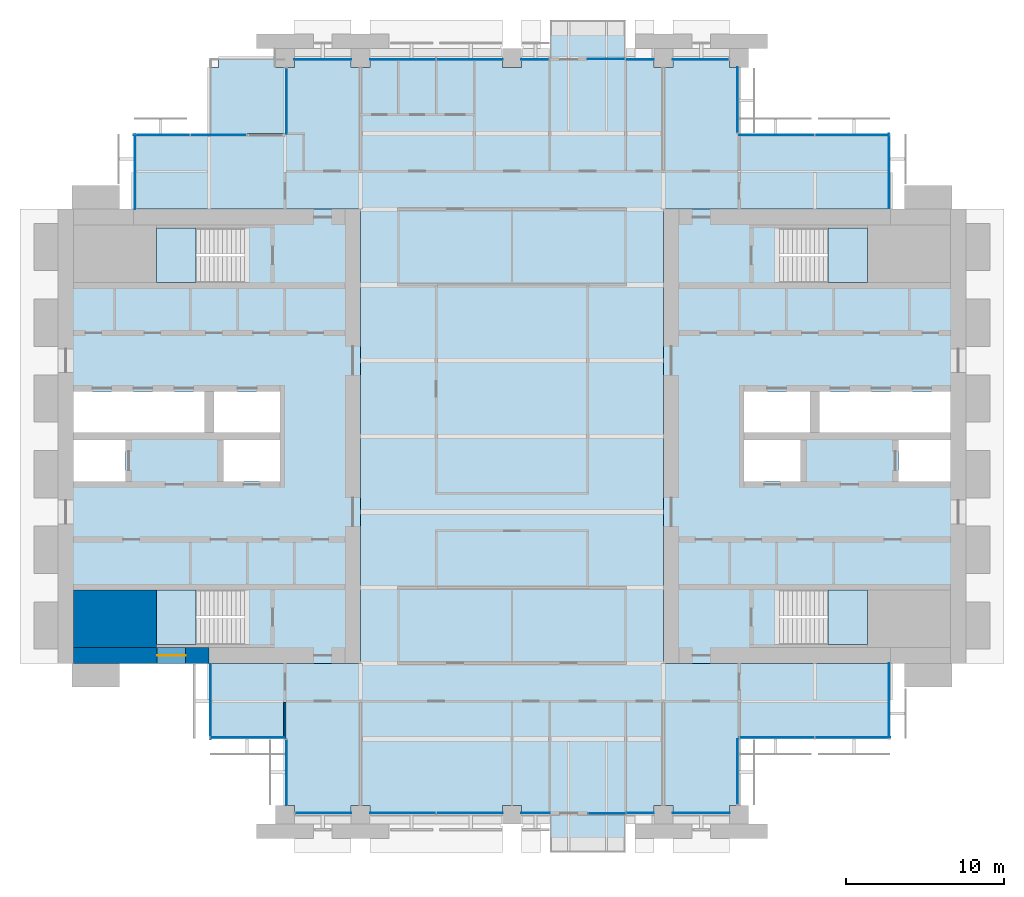
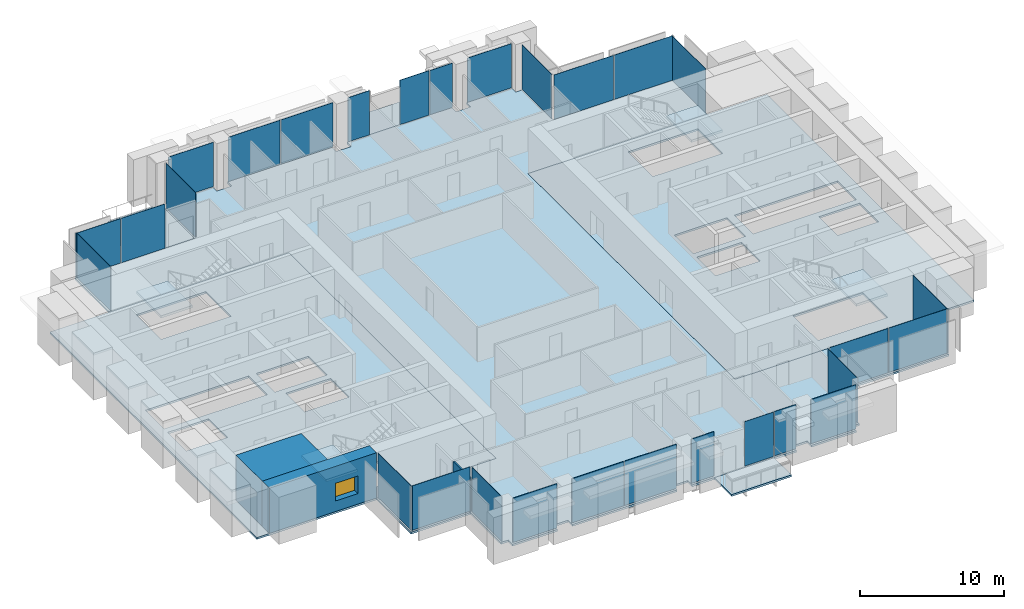
# One storey, part 8 of 15: 29 plates, 10 slabs, 3 walls, 1 window, 1 opening, 22 elements without a shape of their own.
"""IFC4 building model written with IfcOpenShell, lengths in metres."""

from ifc_helpers import new_model, si_unit, direction, frame, frame_2d, origin, origin_2d, place, context, subcontext, project, spatial, polyline, rectangle, outline, extrude, material, layer, layer_set, type_object, element, fill, aggregate, save


model = new_model("IFC4")

# Units and contexts
model_context = context("Model", 3, precision=1e-05, world=origin(), true_north=direction((0.0, 1.0)))
body_context = subcontext(model_context, "Body", "Model", "MODEL_VIEW")
ifc_project = project(units=[si_unit("LENGTHUNIT", "METRE"), si_unit("AREAUNIT", "SQUARE_METRE"), si_unit("VOLUMEUNIT", "CUBIC_METRE"), si_unit("PLANEANGLEUNIT", "RADIAN"), si_unit("MASSUNIT", "GRAM", prefix="KILO")], contexts=[model_context])

# Site, building, storey
site_placement = place(None, origin())
site = spatial("IfcSite", under=ifc_project, at=site_placement, CompositionType="ELEMENT")
building_placement = place(site_placement, origin())
building = spatial("IfcBuilding", under=site, at=building_placement, Name="Baori Bourse Tower", CompositionType="ELEMENT")
storey_placement = place(building_placement, frame((0.0, 0.0, 116.10009765625)))
storey = spatial("IfcBuildingStorey", under=building, at=storey_placement, Name="L24", CompositionType="ELEMENT", Elevation=116.10009765625)

# Slabs
ifc_material_1 = material(Name="Concrete f'c 40 MPa", Category="concrete")
ifc_layer_1 = layer(ifc_material_1, 0.159912109375)
ifc_layer_set_1 = layer_set([ifc_layer_1], Name="BL2 Balcony slab 160")
slab_type_1 = type_object("IfcSlabType", Name="BL2 Balcony slab 160", PredefinedType="FLOOR", material=ifc_layer_set_1)
slab_1_placement = place(storey_placement, frame((0.0, 0.0, -0.16015625)))
element("IfcSlab", 1, at=slab_1_placement, inside=storey, type_object=slab_type_1, Name="Balcony slab L24 S", PredefinedType="FLOOR", context=body_context, shape_type="SweptSolid", body=[
    extrude(outline(polyline([(31.199951171875, 0.0), (31.199951171875, -2.39990234375), (36.0, -2.39990234375), (36.0, 0.0), (31.199951171875, 0.0)])), origin(), (0.0, 0.0, 1.0), 0.16015625),
])
slab_2_placement = place(storey_placement, frame((0.0, 0.0, -0.16015625)))
element("IfcSlab", 2, at=slab_2_placement, inside=storey, type_object=slab_type_1, Name="Balcony slab L24 N", PredefinedType="FLOOR", context=body_context, shape_type="SweptSolid", body=[
    extrude(outline(polyline([(31.199951171875, 48.0), (36.0, 48.0), (36.0, 50.39990234375), (31.199951171875, 50.39990234375), (31.199951171875, 48.0)])), origin(), (0.0, 0.0, 1.0), 0.16015625),
])

# Curtain wall, plates
ifc_material_2 = material(Name="Pale anodised aluminium", Category="aluminium")
curtain_wall_type_1 = type_object("IfcCurtainWallType", Name="CW1 Curtain wall", PredefinedType="NOTDEFINED", material=ifc_material_2)
curtain_wall_1_placement = place(storey_placement, origin())
curtain_wall_1 = element("IfcCurtainWall", 3, at=curtain_wall_1_placement, inside=storey, type_object=curtain_wall_type_1, Name="Curtain wall CW1 L24 4", PredefinedType="NOTDEFINED")
ifc_material_3 = material(Name="Clear glass", Category="glass")
ifc_layer_2 = layer(ifc_material_3, 0.033935546875)
ifc_layer_set_2 = layer_set([ifc_layer_2], Name="CW1 Curtain wall panel")
plate_type_1 = type_object("IfcPlateType", Name="CW1 Curtain wall panel", PredefinedType="CURTAIN_PANEL", material=ifc_layer_set_2)
plate_1_placement = place(storey_placement, frame((40.77001953125, 47.89990234375, 0.080078125), z_axis=(0.0, 0.0, 1.0), x_axis=(-1.0, 0.0, 0.0)))
plate_1 = element("IfcPlate", 4, at=plate_1_placement, type_object=plate_type_1, Name="Curtain wall CW1 panel", PredefinedType="CURTAIN_PANEL", context=body_context, shape_type="SweptSolid", body=[
    extrude(rectangle(XDim=3.5400390625, YDim=0.033935546875, at=origin_2d()), origin(), (0.0, 0.0, 1.0), 3.760009765625),
])
plate_2_placement = place(storey_placement, frame((36.89990234375, 47.89990234375, 0.080078125), z_axis=(0.0, 0.0, 1.0), x_axis=(-1.0, 0.0, 0.0)))
plate_2 = element("IfcPlate", 5, at=plate_2_placement, type_object=plate_type_1, Name="Curtain wall CW1 panel", PredefinedType="CURTAIN_PANEL", context=body_context, shape_type="SweptSolid", body=[
    extrude(rectangle(XDim=1.800048828125, YDim=0.033935546875, at=origin_2d()), origin(), (0.0, 0.0, 1.0), 3.760009765625),
])
aggregate(curtain_wall_1, [plate_1, plate_2])

curtain_wall_2_placement = place(storey_placement, origin())
curtain_wall_2 = element("IfcCurtainWall", 6, at=curtain_wall_2_placement, inside=storey, type_object=curtain_wall_type_1, Name="Curtain wall CW1 L24 6", PredefinedType="NOTDEFINED")
plate_3_placement = place(storey_placement, frame((30.27001953125, 47.89990234375, 0.080078125), z_axis=(0.0, 0.0, 1.0), x_axis=(-1.0, 0.0, 0.0)))
plate_3 = element("IfcPlate", 7, at=plate_3_placement, type_object=plate_type_1, Name="Curtain wall CW1 panel", PredefinedType="CURTAIN_PANEL", context=body_context, shape_type="SweptSolid", body=[
    extrude(rectangle(XDim=1.739990234375, YDim=0.033935546875, at=origin_2d()), origin(), (0.0, 0.0, 1.0), 3.760009765625),
])
plate_4_placement = place(storey_placement, frame((26.114990234375, 47.89990234375, 0.080078125), z_axis=(0.0, 0.0, 1.0), x_axis=(-1.0, 0.0, 0.0)))
plate_4 = element("IfcPlate", 8, at=plate_4_placement, type_object=plate_type_1, Name="Curtain wall CW1 panel", PredefinedType="CURTAIN_PANEL", context=body_context, shape_type="SweptSolid", body=[
    extrude(rectangle(XDim=4.169921875, YDim=0.033935546875, at=origin_2d()), origin(), (0.0, 0.0, 1.0), 3.760009765625),
])
plate_5_placement = place(storey_placement, frame((21.885009765625, 47.89990234375, 0.080078125), z_axis=(0.0, 0.0, 1.0), x_axis=(-1.0, 0.0, 0.0)))
plate_5 = element("IfcPlate", 9, at=plate_5_placement, type_object=plate_type_1, Name="Curtain wall CW1 panel", PredefinedType="CURTAIN_PANEL", context=body_context, shape_type="SweptSolid", body=[
    extrude(rectangle(XDim=4.169921875, YDim=0.033935546875, at=origin_2d()), origin(), (0.0, 0.0, 1.0), 3.760009765625),
])
plate_6_placement = place(storey_placement, frame((16.800048828125, 47.89990234375, 0.080078125), z_axis=(0.0, 0.0, 1.0), x_axis=(-1.0, 0.0, 0.0)))
plate_6 = element("IfcPlate", 10, at=plate_6_placement, type_object=plate_type_1, Name="Curtain wall CW1 panel", PredefinedType="CURTAIN_PANEL", context=body_context, shape_type="SweptSolid", body=[
    extrude(rectangle(XDim=3.60009765625, YDim=0.033935546875, at=origin_2d()), origin(), (0.0, 0.0, 1.0), 3.760009765625),
])
aggregate(curtain_wall_2, [plate_3, plate_4, plate_5, plate_6])

curtain_wall_3_placement = place(storey_placement, origin())
curtain_wall_3 = element("IfcCurtainWall", 11, at=curtain_wall_3_placement, inside=storey, type_object=curtain_wall_type_1, Name="Curtain wall CW1 L24 13", PredefinedType="NOTDEFINED")
plate_7_placement = place(storey_placement, frame((16.830078125, 0.10009765625, 0.080078125), z_axis=(0.0, 0.0, 1.0), x_axis=(1.0, 0.0, 0.0)))
plate_7 = element("IfcPlate", 12, at=plate_7_placement, type_object=plate_type_1, Name="Curtain wall CW1 panel", PredefinedType="CURTAIN_PANEL", context=body_context, shape_type="SweptSolid", body=[
    extrude(rectangle(XDim=3.5400390625, YDim=0.033935546875, at=origin_2d()), origin(), (0.0, 0.0, 1.0), 3.760009765625),
])
plate_8_placement = place(storey_placement, frame((21.885009765625, 0.10009765625, 0.080078125), z_axis=(0.0, 0.0, 1.0), x_axis=(1.0, 0.0, 0.0)))
plate_8 = element("IfcPlate", 13, at=plate_8_placement, type_object=plate_type_1, Name="Curtain wall CW1 panel", PredefinedType="CURTAIN_PANEL", context=body_context, shape_type="SweptSolid", body=[
    extrude(rectangle(XDim=4.169921875, YDim=0.033935546875, at=origin_2d()), origin(), (0.0, 0.0, 1.0), 3.760009765625),
])
plate_9_placement = place(storey_placement, frame((26.114990234375, 0.10009765625, 0.080078125), z_axis=(0.0, 0.0, 1.0), x_axis=(1.0, 0.0, 0.0)))
plate_9 = element("IfcPlate", 14, at=plate_9_placement, type_object=plate_type_1, Name="Curtain wall CW1 panel", PredefinedType="CURTAIN_PANEL", context=body_context, shape_type="SweptSolid", body=[
    extrude(rectangle(XDim=4.169921875, YDim=0.033935546875, at=origin_2d()), origin(), (0.0, 0.0, 1.0), 3.760009765625),
])
plate_10_placement = place(storey_placement, frame((30.300048828125, 0.10009765625, 0.080078125), z_axis=(0.0, 0.0, 1.0), x_axis=(1.0, 0.0, 0.0)))
plate_10 = element("IfcPlate", 15, at=plate_10_placement, type_object=plate_type_1, Name="Curtain wall CW1 panel", PredefinedType="CURTAIN_PANEL", context=body_context, shape_type="SweptSolid", body=[
    extrude(rectangle(XDim=1.800048828125, YDim=0.033935546875, at=origin_2d()), origin(), (0.0, 0.0, 1.0), 3.760009765625),
])
aggregate(curtain_wall_3, [plate_7, plate_8, plate_9, plate_10])

curtain_wall_4_placement = place(storey_placement, origin())
curtain_wall_4 = element("IfcCurtainWall", 16, at=curtain_wall_4_placement, inside=storey, type_object=curtain_wall_type_1, Name="Curtain wall CW1 L24 15", PredefinedType="NOTDEFINED")
plate_11_placement = place(storey_placement, frame((36.929931640625, 0.10009765625, 0.080078125), z_axis=(0.0, 0.0, 1.0), x_axis=(1.0, 0.0, 0.0)))
plate_11 = element("IfcPlate", 17, at=plate_11_placement, type_object=plate_type_1, Name="Curtain wall CW1 panel", PredefinedType="CURTAIN_PANEL", context=body_context, shape_type="SweptSolid", body=[
    extrude(rectangle(XDim=1.739990234375, YDim=0.033935546875, at=origin_2d()), origin(), (0.0, 0.0, 1.0), 3.760009765625),
])
plate_12_placement = place(storey_placement, frame((40.800048828125, 0.10009765625, 0.080078125), z_axis=(0.0, 0.0, 1.0), x_axis=(1.0, 0.0, 0.0)))
plate_12 = element("IfcPlate", 18, at=plate_12_placement, type_object=plate_type_1, Name="Curtain wall CW1 panel", PredefinedType="CURTAIN_PANEL", context=body_context, shape_type="SweptSolid", body=[
    extrude(rectangle(XDim=3.60009765625, YDim=0.033935546875, at=origin_2d()), origin(), (0.0, 0.0, 1.0), 3.760009765625),
])
aggregate(curtain_wall_4, [plate_11, plate_12])

# Curtain wall, plate
ifc_material_4 = material(Name="Pale anodised aluminium", Category="aluminium")
curtain_wall_type_2 = type_object("IfcCurtainWallType", Name="CW2 Curtain wall", PredefinedType="NOTDEFINED", material=ifc_material_4)
curtain_wall_5_placement = place(storey_placement, origin())
curtain_wall_5 = element("IfcCurtainWall", 19, at=curtain_wall_5_placement, inside=storey, type_object=curtain_wall_type_2, Name="Curtain wall CW2 L24 1", PredefinedType="NOTDEFINED")
ifc_material_5 = material(Name="Clear glass", Category="glass")
ifc_layer_3 = layer(ifc_material_5, 0.030029296875)
ifc_layer_set_3 = layer_set([ifc_layer_3], Name="CW2 Curtain wall panel")
plate_type_2 = type_object("IfcPlateType", Name="CW2 Curtain wall panel", PredefinedType="CURTAIN_PANEL", material=ifc_layer_set_3)
plate_13_placement = place(storey_placement, frame((52.7099609375, 40.827392578125, 0.06982421875), z_axis=(0.0, 0.0, 1.0), x_axis=(0.0, 1.0, 0.0)))
plate_13 = element("IfcPlate", 20, at=plate_13_placement, type_object=plate_type_2, Name="Curtain wall CW2 panel", PredefinedType="CURTAIN_PANEL", context=body_context, shape_type="SweptSolid", body=[
    extrude(rectangle(XDim=4.7451171875, YDim=0.030029296875, at=origin_2d()), origin(), (0.0, 0.0, 1.0), 3.77001953125),
])
aggregate(curtain_wall_5, [plate_13])

# Curtain wall, plates
curtain_wall_6_placement = place(storey_placement, origin())
curtain_wall_6 = element("IfcCurtainWall", 21, at=curtain_wall_6_placement, inside=storey, type_object=curtain_wall_type_2, Name="Curtain wall CW2 L24 2", PredefinedType="NOTDEFINED")
plate_14_placement = place(storey_placement, frame((50.38623046875, 43.110107421875, 0.06982421875), z_axis=(0.0, 0.0, 1.0), x_axis=(-1.0, 0.0, 0.0)))
plate_14 = element("IfcPlate", 22, at=plate_14_placement, type_object=plate_type_2, Name="Curtain wall CW2 panel", PredefinedType="CURTAIN_PANEL", context=body_context, shape_type="SweptSolid", body=[
    extrude(rectangle(XDim=4.717529296875, YDim=0.030029296875, at=origin_2d()), origin(), (0.0, 0.0, 1.0), 3.77001953125),
])
plate_15_placement = place(storey_placement, frame((45.586181640625, 43.110107421875, 0.06982421875), z_axis=(0.0, 0.0, 1.0), x_axis=(-1.0, 0.0, 0.0)))
plate_15 = element("IfcPlate", 23, at=plate_15_placement, type_object=plate_type_2, Name="Curtain wall CW2 panel", PredefinedType="CURTAIN_PANEL", context=body_context, shape_type="SweptSolid", body=[
    extrude(rectangle(XDim=4.7724609375, YDim=0.030029296875, at=origin_2d()), origin(), (0.0, 0.0, 1.0), 3.77001953125),
])
aggregate(curtain_wall_6, [plate_14, plate_15])

# Curtain wall, plate
curtain_wall_7_placement = place(storey_placement, origin())
curtain_wall_7 = element("IfcCurtainWall", 24, at=curtain_wall_7_placement, inside=storey, type_object=curtain_wall_type_2, Name="Curtain wall CW2 L24 3", PredefinedType="NOTDEFINED")
plate_16_placement = place(storey_placement, frame((43.110107421875, 45.327392578125, 0.06982421875), z_axis=(0.0, 0.0, 1.0), x_axis=(0.0, 1.0, 0.0)))
plate_16 = element("IfcPlate", 25, at=plate_16_placement, type_object=plate_type_2, Name="Curtain wall CW2 panel", PredefinedType="CURTAIN_PANEL", context=body_context, shape_type="SweptSolid", body=[
    extrude(rectangle(XDim=4.14501953125, YDim=0.030029296875, at=origin_2d()), origin(), (0.0, 0.0, 1.0), 3.77001953125),
])
aggregate(curtain_wall_7, [plate_16])

curtain_wall_8_placement = place(storey_placement, origin())
curtain_wall_8 = element("IfcCurtainWall", 26, at=curtain_wall_8_placement, inside=storey, type_object=curtain_wall_type_2, Name="Curtain wall CW2 L24 7", PredefinedType="NOTDEFINED")
plate_17_placement = place(storey_placement, frame((14.489990234375, 45.2724609375, 0.06982421875), z_axis=(0.0, 0.0, 1.0), x_axis=(0.0, -1.0, 0.0)))
plate_17 = element("IfcPlate", 27, at=plate_17_placement, type_object=plate_type_2, Name="Curtain wall CW2 panel", PredefinedType="CURTAIN_PANEL", context=body_context, shape_type="SweptSolid", body=[
    extrude(rectangle(XDim=4.14501953125, YDim=0.030029296875, at=origin_2d()), origin(), (0.0, 0.0, 1.0), 3.77001953125),
])
aggregate(curtain_wall_8, [plate_17])

# Curtain wall, plates
curtain_wall_9_placement = place(storey_placement, origin())
curtain_wall_9 = element("IfcCurtainWall", 28, at=curtain_wall_9_placement, inside=storey, type_object=curtain_wall_type_2, Name="Curtain wall CW2 L24 8", PredefinedType="NOTDEFINED")
plate_18_placement = place(storey_placement, frame((10.186279296875, 43.110107421875, 0.06982421875), z_axis=(0.0, 0.0, 1.0), x_axis=(-1.0, 0.0, 0.0)))
plate_18 = element("IfcPlate", 29, at=plate_18_placement, type_object=plate_type_2, Name="Curtain wall CW2 panel", PredefinedType="CURTAIN_PANEL", context=body_context, shape_type="SweptSolid", body=[
    extrude(rectangle(XDim=3.517578125, YDim=0.030029296875, at=origin_2d()), origin(), (0.0, 0.0, 1.0), 3.77001953125),
])
plate_19_placement = place(storey_placement, frame((6.586181640625, 43.110107421875, 0.06982421875), z_axis=(0.0, 0.0, 1.0), x_axis=(-1.0, 0.0, 0.0)))
plate_19 = element("IfcPlate", 30, at=plate_19_placement, type_object=plate_type_2, Name="Curtain wall CW2 panel", PredefinedType="CURTAIN_PANEL", context=body_context, shape_type="SweptSolid", body=[
    extrude(rectangle(XDim=3.572509765625, YDim=0.030029296875, at=origin_2d()), origin(), (0.0, 0.0, 1.0), 3.77001953125),
])
aggregate(curtain_wall_9, [plate_18, plate_19])

# Curtain wall, plate
curtain_wall_10_placement = place(storey_placement, origin())
curtain_wall_10 = element("IfcCurtainWall", 31, at=curtain_wall_10_placement, inside=storey, type_object=curtain_wall_type_2, Name="Curtain wall CW2 L24 9", PredefinedType="NOTDEFINED")
plate_20_placement = place(storey_placement, frame((4.889892578125, 40.7724609375, 0.06982421875), z_axis=(0.0, 0.0, 1.0), x_axis=(0.0, -1.0, 0.0)))
plate_20 = element("IfcPlate", 32, at=plate_20_placement, type_object=plate_type_2, Name="Curtain wall CW2 panel", PredefinedType="CURTAIN_PANEL", context=body_context, shape_type="SweptSolid", body=[
    extrude(rectangle(XDim=4.7451171875, YDim=0.030029296875, at=origin_2d()), origin(), (0.0, 0.0, 1.0), 3.77001953125),
])
aggregate(curtain_wall_10, [plate_20])

curtain_wall_11_placement = place(storey_placement, origin())
curtain_wall_11 = element("IfcCurtainWall", 33, at=curtain_wall_11_placement, inside=storey, type_object=curtain_wall_type_2, Name="Curtain wall CW2 L24 10", PredefinedType="NOTDEFINED")
plate_21_placement = place(storey_placement, frame((9.68994140625, 7.172607421875, 0.06982421875), z_axis=(0.0, 0.0, 1.0), x_axis=(0.0, -1.0, 0.0)))
plate_21 = element("IfcPlate", 34, at=plate_21_placement, type_object=plate_type_2, Name="Curtain wall CW2 panel", PredefinedType="CURTAIN_PANEL", context=body_context, shape_type="SweptSolid", body=[
    extrude(rectangle(XDim=4.7451171875, YDim=0.030029296875, at=origin_2d()), origin(), (0.0, 0.0, 1.0), 3.77001953125),
])
aggregate(curtain_wall_11, [plate_21])

curtain_wall_12_placement = place(storey_placement, origin())
curtain_wall_12 = element("IfcCurtainWall", 35, at=curtain_wall_12_placement, inside=storey, type_object=curtain_wall_type_2, Name="Curtain wall CW2 L24 11", PredefinedType="NOTDEFINED")
plate_22_placement = place(storey_placement, frame((12.027587890625, 4.889892578125, 0.06982421875), z_axis=(0.0, 0.0, 1.0), x_axis=(1.0, 0.0, 0.0)))
plate_22 = element("IfcPlate", 36, at=plate_22_placement, type_object=plate_type_2, Name="Curtain wall CW2 panel", PredefinedType="CURTAIN_PANEL", context=body_context, shape_type="SweptSolid", body=[
    extrude(rectangle(XDim=4.7451171875, YDim=0.030029296875, at=origin_2d()), origin(), (0.0, 0.0, 1.0), 3.77001953125),
])
aggregate(curtain_wall_12, [plate_22])

curtain_wall_13_placement = place(storey_placement, origin())
curtain_wall_13 = element("IfcCurtainWall", 37, at=curtain_wall_13_placement, inside=storey, type_object=curtain_wall_type_2, Name="Curtain wall CW2 L24 12", PredefinedType="NOTDEFINED")
plate_23_placement = place(storey_placement, frame((14.489990234375, 2.672607421875, 0.06982421875), z_axis=(0.0, 0.0, 1.0), x_axis=(0.0, -1.0, 0.0)))
plate_23 = element("IfcPlate", 38, at=plate_23_placement, type_object=plate_type_2, Name="Curtain wall CW2 panel", PredefinedType="CURTAIN_PANEL", context=body_context, shape_type="SweptSolid", body=[
    extrude(rectangle(XDim=4.14501953125, YDim=0.030029296875, at=origin_2d()), origin(), (0.0, 0.0, 1.0), 3.77001953125),
])
aggregate(curtain_wall_13, [plate_23])

curtain_wall_14_placement = place(storey_placement, origin())
curtain_wall_14 = element("IfcCurtainWall", 39, at=curtain_wall_14_placement, inside=storey, type_object=curtain_wall_type_2, Name="Curtain wall CW2 L24 16", PredefinedType="NOTDEFINED")
plate_24_placement = place(storey_placement, frame((43.110107421875, 2.7275390625, 0.06982421875), z_axis=(0.0, 0.0, 1.0), x_axis=(0.0, 1.0, 0.0)))
plate_24 = element("IfcPlate", 40, at=plate_24_placement, type_object=plate_type_2, Name="Curtain wall CW2 panel", PredefinedType="CURTAIN_PANEL", context=body_context, shape_type="SweptSolid", body=[
    extrude(rectangle(XDim=4.14501953125, YDim=0.030029296875, at=origin_2d()), origin(), (0.0, 0.0, 1.0), 3.77001953125),
])
aggregate(curtain_wall_14, [plate_24])

# Curtain wall, plates
curtain_wall_15_placement = place(storey_placement, origin())
curtain_wall_15 = element("IfcCurtainWall", 41, at=curtain_wall_15_placement, inside=storey, type_object=curtain_wall_type_2, Name="Curtain wall CW2 L24 17", PredefinedType="NOTDEFINED")
plate_25_placement = place(storey_placement, frame((45.61376953125, 4.889892578125, 0.06982421875), z_axis=(0.0, 0.0, 1.0), x_axis=(1.0, 0.0, 0.0)))
plate_25 = element("IfcPlate", 42, at=plate_25_placement, type_object=plate_type_2, Name="Curtain wall CW2 panel", PredefinedType="CURTAIN_PANEL", context=body_context, shape_type="SweptSolid", body=[
    extrude(rectangle(XDim=4.717529296875, YDim=0.030029296875, at=origin_2d()), origin(), (0.0, 0.0, 1.0), 3.77001953125),
])
plate_26_placement = place(storey_placement, frame((50.413818359375, 4.889892578125, 0.06982421875), z_axis=(0.0, 0.0, 1.0), x_axis=(1.0, 0.0, 0.0)))
plate_26 = element("IfcPlate", 43, at=plate_26_placement, type_object=plate_type_2, Name="Curtain wall CW2 panel", PredefinedType="CURTAIN_PANEL", context=body_context, shape_type="SweptSolid", body=[
    extrude(rectangle(XDim=4.7724609375, YDim=0.030029296875, at=origin_2d()), origin(), (0.0, 0.0, 1.0), 3.77001953125),
])
aggregate(curtain_wall_15, [plate_25, plate_26])

# Curtain wall, plate
curtain_wall_16_placement = place(storey_placement, origin())
curtain_wall_16 = element("IfcCurtainWall", 44, at=curtain_wall_16_placement, inside=storey, type_object=curtain_wall_type_2, Name="Curtain wall CW2 L24 18", PredefinedType="NOTDEFINED")
plate_27_placement = place(storey_placement, frame((52.7099609375, 7.2275390625, 0.06982421875), z_axis=(0.0, 0.0, 1.0), x_axis=(0.0, 1.0, 0.0)))
plate_27 = element("IfcPlate", 45, at=plate_27_placement, type_object=plate_type_2, Name="Curtain wall CW2 panel", PredefinedType="CURTAIN_PANEL", context=body_context, shape_type="SweptSolid", body=[
    extrude(rectangle(XDim=4.7451171875, YDim=0.030029296875, at=origin_2d()), origin(), (0.0, 0.0, 1.0), 3.77001953125),
])
aggregate(curtain_wall_16, [plate_27])

ifc_material_6 = material(Name="Pale anodised aluminium", Category="aluminium")
curtain_wall_type_3 = type_object("IfcCurtainWallType", Name="CW6 Curtain wall", PredefinedType="NOTDEFINED", material=ifc_material_6)
curtain_wall_17_placement = place(storey_placement, origin())
curtain_wall_17 = element("IfcCurtainWall", 46, at=curtain_wall_17_placement, inside=storey, type_object=curtain_wall_type_3, Name="Curtain wall CW6 L24 5", PredefinedType="NOTDEFINED")
ifc_material_7 = material(Name="Clear glass", Category="glass")
ifc_layer_4 = layer(ifc_material_7, 0.028076171875)
ifc_layer_set_4 = layer_set([ifc_layer_4], Name="CW6 Curtain wall panel")
plate_type_3 = type_object("IfcPlateType", Name="CW6 Curtain wall panel", PredefinedType="CURTAIN_PANEL", material=ifc_layer_set_4)
plate_28_placement = place(storey_placement, frame((34.77490234375, 47.925048828125, 0.06494140625), z_axis=(0.0, 0.0, 1.0), x_axis=(-1.0, 0.0, 0.0)))
plate_28 = element("IfcPlate", 47, at=plate_28_placement, type_object=plate_type_3, Name="Curtain wall CW6 panel", PredefinedType="CURTAIN_PANEL", context=body_context, shape_type="SweptSolid", body=[
    extrude(rectangle(XDim=2.35009765625, YDim=0.028076171875, at=origin_2d()), origin(), (0.0, 0.0, 1.0), 3.77490234375),
])
aggregate(curtain_wall_17, [plate_28])

curtain_wall_18_placement = place(storey_placement, origin())
curtain_wall_18 = element("IfcCurtainWall", 48, at=curtain_wall_18_placement, inside=storey, type_object=curtain_wall_type_3, Name="Curtain wall CW6 L24 14", PredefinedType="NOTDEFINED")
plate_29_placement = place(storey_placement, frame((34.824951171875, 0.074951171875, 0.06494140625), z_axis=(0.0, 0.0, 1.0), x_axis=(1.0, 0.0, 0.0)))
plate_29 = element("IfcPlate", 49, at=plate_29_placement, type_object=plate_type_3, Name="Curtain wall CW6 panel", PredefinedType="CURTAIN_PANEL", context=body_context, shape_type="SweptSolid", body=[
    extrude(rectangle(XDim=2.35009765625, YDim=0.028076171875, at=origin_2d()), origin(), (0.0, 0.0, 1.0), 3.77490234375),
])
aggregate(curtain_wall_18, [plate_29])

# Slabs
ifc_material_8 = material(Name="Concrete f'c 50 MPa", Category="concrete")
ifc_layer_5 = layer(ifc_material_8, 0.159912109375)
ifc_layer_set_5 = layer_set([ifc_layer_5], Name="Core slab 160")
slab_type_2 = type_object("IfcSlabType", Name="Core slab 160", PredefinedType="FLOOR", material=ifc_layer_set_5)
slab_3_placement = place(storey_placement, frame((0.0, 0.0, -0.16015625)))
element("IfcSlab", 50, at=slab_3_placement, inside=storey, type_object=slab_type_2, Name="Core floor slab W01", PredefinedType="FLOOR", context=body_context, shape_type="SweptSolid", body=[
    extrude(outline(polyline([(0.0, 38.39990234375), (0.0, 9.60009765625), (19.199951171875, 9.60009765625), (19.199951171875, 38.39990234375), (0.0, 38.39990234375)]), holes=[polyline([(10.5, 21.14990234375), (10.5, 23.75), (14.10009765625, 23.75), (14.10009765625, 21.14990234375), (10.5, 21.14990234375)]), polyline([(14.10009765625, 24.25), (9.89990234375, 24.25), (9.89990234375, 26.85009765625), (14.10009765625, 26.85009765625), (14.10009765625, 24.25)]), polyline([(6.25, 14.25), (11.84912109375, 14.25), (11.84912109375, 10.800048828125), (6.25, 10.800048828125), (6.25, 14.25)]), polyline([(11.84912109375, 37.199951171875), (11.84912109375, 33.75), (6.25, 33.75), (6.25, 37.199951171875), (11.84912109375, 37.199951171875)]), polyline([(1.0, 26.85009765625), (9.300048828125, 26.85009765625), (9.300048828125, 24.25), (1.0, 24.25), (1.0, 26.85009765625)]), polyline([(4.300048828125, 23.75), (4.300048828125, 21.14990234375), (1.0, 21.14990234375), (1.0, 23.75), (4.300048828125, 23.75)])]), origin(), (0.0, 0.0, 1.0), 0.16015625),
])
slab_4_placement = place(storey_placement, frame((0.0, 0.0, -0.16015625)))
element("IfcSlab", 51, at=slab_4_placement, inside=storey, type_object=slab_type_2, Name="Core floor slab E01", PredefinedType="FLOOR", context=body_context, shape_type="SweptSolid", body=[
    extrude(outline(polyline([(57.60009765625, 38.39990234375), (38.39990234375, 38.39990234375), (38.39990234375, 9.60009765625), (57.60009765625, 9.60009765625), (57.60009765625, 38.39990234375)]), holes=[polyline([(56.60009765625, 21.14990234375), (53.300048828125, 21.14990234375), (53.300048828125, 23.75), (56.60009765625, 23.75), (56.60009765625, 21.14990234375)]), polyline([(56.60009765625, 26.85009765625), (56.60009765625, 24.25), (48.300048828125, 24.25), (48.300048828125, 26.85009765625), (56.60009765625, 26.85009765625)]), polyline([(45.750732421875, 14.25), (51.35009765625, 14.25), (51.35009765625, 10.800048828125), (45.750732421875, 10.800048828125), (45.750732421875, 14.25)]), polyline([(51.35009765625, 37.199951171875), (51.35009765625, 33.75), (45.750732421875, 33.75), (45.750732421875, 37.199951171875), (51.35009765625, 37.199951171875)]), polyline([(43.5, 24.25), (43.5, 26.85009765625), (47.699951171875, 26.85009765625), (47.699951171875, 24.25), (43.5, 24.25)]), polyline([(43.5, 23.75), (47.10009765625, 23.75), (47.10009765625, 21.14990234375), (43.5, 21.14990234375), (43.5, 23.75)])]), origin(), (0.0, 0.0, 1.0), 0.16015625),
])

# Stair, slab
ifc_material_9 = material(Name="Concrete f'c 50 MPa", Category="concrete")
stair_type = type_object("IfcStairType", Name="Core stair", PredefinedType="HALF_TURN_STAIR", material=ifc_material_9)
stair_1_placement = place(storey_placement, origin())
stair_1 = element("IfcStair", 52, at=stair_1_placement, inside=storey, type_object=stair_type, Name="L24 Stair WA", PredefinedType="HALF_TURN_STAIR")
ifc_material_10 = material(Name="Concrete f'c 50 MPa", Category="concrete")
slab_type_3 = type_object("IfcSlabType", Name="Core stair landing", PredefinedType="LANDING", material=ifc_material_10)
slab_5_placement = place(storey_placement, frame((0.0, 0.0, 1.7998046875)))
slab_5 = element("IfcSlab", 53, at=slab_5_placement, type_object=slab_type_3, Name="ST1 landing 1", PredefinedType="LANDING", context=body_context, shape_type="SweptSolid", body=[
    extrude(outline(polyline([(8.77001953125, 14.25), (6.25, 14.25), (6.25, 10.800048828125), (8.77001953125, 10.800048828125), (8.77001953125, 14.25)])), origin(), (0.0, 0.0, 1.0), 0.2001953125),
])
aggregate(stair_1, [slab_5])

stair_2_placement = place(storey_placement, origin())
stair_2 = element("IfcStair", 54, at=stair_2_placement, inside=storey, type_object=stair_type, Name="L24 Stair WB", PredefinedType="HALF_TURN_STAIR")
slab_6_placement = place(storey_placement, frame((0.0, 0.0, 1.7998046875)))
slab_6 = element("IfcSlab", 55, at=slab_6_placement, type_object=slab_type_3, Name="ST2 landing 1", PredefinedType="LANDING", context=body_context, shape_type="SweptSolid", body=[
    extrude(outline(polyline([(8.77001953125, 37.199951171875), (6.25, 37.199951171875), (6.25, 33.75), (8.77001953125, 33.75), (8.77001953125, 37.199951171875)])), origin(), (0.0, 0.0, 1.0), 0.2001953125),
])
aggregate(stair_2, [slab_6])

stair_3_placement = place(storey_placement, origin())
stair_3 = element("IfcStair", 56, at=stair_3_placement, inside=storey, type_object=stair_type, Name="L24 Stair EA", PredefinedType="HALF_TURN_STAIR")
slab_7_placement = place(storey_placement, frame((0.0, 0.0, 1.7998046875)))
slab_7 = element("IfcSlab", 57, at=slab_7_placement, type_object=slab_type_3, Name="ST3 landing 1", PredefinedType="LANDING", context=body_context, shape_type="SweptSolid", body=[
    extrude(outline(polyline([(48.830078125, 10.800048828125), (51.35009765625, 10.800048828125), (51.35009765625, 14.25), (48.830078125, 14.25), (48.830078125, 10.800048828125)])), origin(), (0.0, 0.0, 1.0), 0.2001953125),
])
aggregate(stair_3, [slab_7])

stair_4_placement = place(storey_placement, origin())
stair_4 = element("IfcStair", 58, at=stair_4_placement, inside=storey, type_object=stair_type, Name="L24 Stair EB", PredefinedType="HALF_TURN_STAIR")
slab_8_placement = place(storey_placement, frame((0.0, 0.0, 1.7998046875)))
slab_8 = element("IfcSlab", 59, at=slab_8_placement, type_object=slab_type_3, Name="ST4 landing 1", PredefinedType="LANDING", context=body_context, shape_type="SweptSolid", body=[
    extrude(outline(polyline([(48.830078125, 33.75), (51.35009765625, 33.75), (51.35009765625, 37.199951171875), (48.830078125, 37.199951171875), (48.830078125, 33.75)])), origin(), (0.0, 0.0, 1.0), 0.2001953125),
])
aggregate(stair_4, [slab_8])

# Slabs
ifc_material_11 = material(Name="Concrete f'c 40 MPa", Category="concrete")
ifc_layer_6 = layer(ifc_material_11, 0.159912109375)
ifc_layer_set_6 = layer_set([ifc_layer_6], Name="Floor slab 160")
slab_type_4 = type_object("IfcSlabType", Name="Floor slab 160", PredefinedType="FLOOR", material=ifc_layer_set_6)
slab_9_placement = place(storey_placement, frame((0.0, 0.0, -0.16015625)))
element("IfcSlab", 60, at=slab_9_placement, inside=storey, type_object=slab_type_4, Name="Floor slab L24", PredefinedType="FLOOR", context=body_context, shape_type="SweptSolid", body=[
    extrude(outline(polyline([(14.39990234375, 4.800048828125), (9.60009765625, 4.800048828125), (9.60009765625, 9.60009765625), (19.199951171875, 9.60009765625), (19.199951171875, 38.39990234375), (4.800048828125, 38.39990234375), (4.800048828125, 43.199951171875), (14.39990234375, 43.199951171875), (14.39990234375, 47.39990234375), (15.0, 47.39990234375), (15.0, 48.0), (18.60009765625, 48.0), (18.60009765625, 47.39990234375), (19.800048828125, 47.39990234375), (19.800048828125, 48.0), (28.199951171875, 48.0), (28.199951171875, 47.39990234375), (29.39990234375, 47.39990234375), (29.39990234375, 48.0), (37.800048828125, 48.0), (37.800048828125, 47.39990234375), (39.0, 47.39990234375), (39.0, 48.0), (42.60009765625, 48.0), (42.60009765625, 47.39990234375), (43.199951171875, 47.39990234375), (43.199951171875, 43.199951171875), (52.800048828125, 43.199951171875), (52.800048828125, 38.39990234375), (38.39990234375, 38.39990234375), (38.39990234375, 9.60009765625), (52.800048828125, 9.60009765625), (52.800048828125, 4.800048828125), (43.199951171875, 4.800048828125), (43.199951171875, 0.60009765625), (42.60009765625, 0.60009765625), (42.60009765625, 0.0), (39.0, 0.0), (39.0, 0.60009765625), (37.800048828125, 0.60009765625), (37.800048828125, 0.0), (29.39990234375, 0.0), (29.39990234375, 0.60009765625), (28.199951171875, 0.60009765625), (28.199951171875, 0.0), (19.800048828125, 0.0), (19.800048828125, 0.60009765625), (18.60009765625, 0.60009765625), (18.60009765625, 0.0), (15.0, 0.0), (15.0, 0.60009765625), (14.39990234375, 0.60009765625), (14.39990234375, 4.800048828125)])), origin(), (0.0, 0.0, 1.0), 0.16015625),
])
ifc_material_12 = material(Name="Concrete f'c 40 MPa", Category="concrete")
ifc_layer_7 = layer(ifc_material_12, 0.159912109375)
ifc_layer_set_7 = layer_set([ifc_layer_7], Name="Terrace slab 160")
slab_type_5 = type_object("IfcSlabType", Name="Terrace slab 160", PredefinedType="ROOF", material=ifc_layer_set_7)
slab_10_placement = place(storey_placement, frame((0.0, 0.0, -0.16015625)))
element("IfcSlab", 61, at=slab_10_placement, inside=storey, type_object=slab_type_5, Name="Terrace slab NW L24", PredefinedType="ROOF", context=body_context, shape_type="SweptSolid", body=[
    extrude(outline(polyline([(14.39697265625, 43.202880859375), (9.60302734375, 43.202880859375), (9.60302734375, 47.39990234375), (10.199951171875, 47.39990234375), (10.199951171875, 47.9970703125), (13.800048828125, 47.9970703125), (13.800048828125, 47.39990234375), (14.39697265625, 47.39990234375), (14.39697265625, 43.202880859375)])), origin(), (0.0, 0.0, 1.0), 0.16015625),
])

# Wall
ifc_material_13 = material(Name="Concrete f'c 60 MPa", Category="concrete")
wall_type_1 = type_object("IfcWallType", Name="Core corner block f'c 60", PredefinedType="SHEAR", material=ifc_material_13)
wall_1_placement = place(storey_placement, frame((1.0, 12.425048828125, 0.0), z_axis=(0.0, 0.0, 1.0), x_axis=(1.0, 0.0, 0.0)))
element("IfcWall", 62, at=wall_1_placement, inside=storey, type_object=wall_type_1, Name="Core wall W05", PredefinedType="SHEAR", context=body_context, shape_type="SweptSolid", body=[
    extrude(rectangle(XDim=5.25, YDim=3.64990234375, at=frame_2d((2.625, 0.0))), origin(), (0.0, 0.0, 1.0), 3.83984375),
])

# Wall, opening, window
ifc_material_14 = material(Name="Concrete f'c 60 MPa", Category="concrete")
ifc_layer_8 = layer(ifc_material_14, 1.0)
ifc_layer_set_8 = layer_set([ifc_layer_8], Name="Core wall 1000 f'c 60")
wall_type_2 = type_object("IfcWallType", Name="Core wall 1000 f'c 60", PredefinedType="SHEAR", material=ifc_layer_set_8)
wall_2_placement = place(storey_placement, frame((9.60009765625, 10.10009765625, 0.0), z_axis=(0.0, 0.0, 1.0), x_axis=(-1.0, 0.0, 0.0)))
wall_2 = element("IfcWall", 63, at=wall_2_placement, inside=storey, type_object=wall_type_2, Name="Core wall W02", PredefinedType="SHEAR", context=body_context, shape_type="SweptSolid", body=[
    extrude(rectangle(XDim=8.60009765625, YDim=1.0, at=frame_2d((4.300048828125, 0.0))), origin(), (0.0, 0.0, 1.0), 3.83984375),
])
opening_placement = place(wall_2_placement, frame((1.5, 0.0, 0.89990234375)))
opening = element("IfcOpeningElement", 64, at=opening_placement, cuts=wall_2, Name="Opening L24-KW103", PredefinedType="OPENING", context=body_context, shape_type="SweptSolid", body=[
    extrude(rectangle(XDim=1.800048828125, YDim=1.5, at=frame_2d((0.89990234375, 0.75))), frame((0.0, 0.510009765625, 0.0), z_axis=(0.0, -1.0, 0.0), x_axis=(1.0, 0.0, 0.0)), (0.0, 0.0, 1.0), 1.02001953125),
])
ifc_material_15 = material(Name="Pale anodised aluminium", Category="aluminium")
window_type = type_object("IfcWindowType", Name="Stair window 1800 x 1500", PartitioningType="SINGLE_PANEL", PredefinedType="WINDOW", material=ifc_material_15)
window_placement = place(opening_placement, origin())
window = element("IfcWindow", 65, at=window_placement, inside=storey, type_object=window_type, Name="Stair window W L24 3", OverallHeight=1.5, OverallWidth=1.800048828125, PartitioningType="SINGLE_PANEL", PredefinedType="WINDOW", context=body_context, shape_type="SweptSolid", body=[
    extrude(rectangle(XDim=1.800048828125, YDim=1.5, at=frame_2d((0.89990234375, 0.75))), frame((0.0, 0.030029296875, 0.0), z_axis=(0.0, -1.0, 0.0), x_axis=(1.0, 0.0, 0.0)), (0.0, 0.0, 1.0), 0.06005859375),
])
fill(opening, window)

# Wall
ifc_material_16 = material(Name="Gypsum board partition")
ifc_layer_9 = layer(ifc_material_16, 0.125)
ifc_layer_set_9 = layer_set([ifc_layer_9], Name="Partition 125")
wall_type_3 = type_object("IfcWallType", Name="Partition 125", PredefinedType="PARTITIONING", material=ifc_layer_set_9)
wall_3_placement = place(storey_placement, frame((14.39990234375, 4.89990234375, 0.0), z_axis=(0.0, 0.0, 1.0), x_axis=(0.0, 1.0, 0.0)))
element("IfcWall", 66, at=wall_3_placement, inside=storey, type_object=wall_type_3, Name="Partition", PredefinedType="PARTITIONING", context=body_context, shape_type="SweptSolid", body=[
    extrude(rectangle(XDim=2.22509765625, YDim=0.125, at=frame_2d((1.112548828125, 0.0))), origin(), (0.0, 0.0, 1.0), 2.935546875),
])

save(model, "model.ifc")
